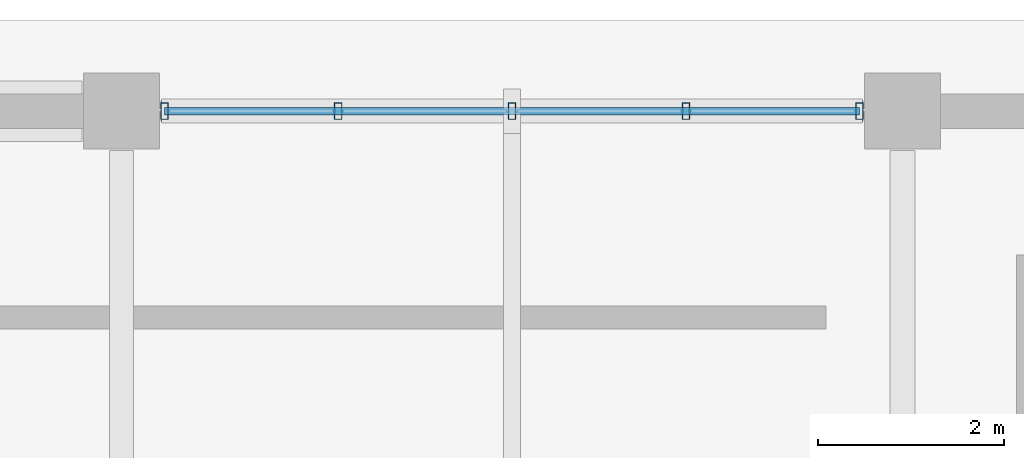
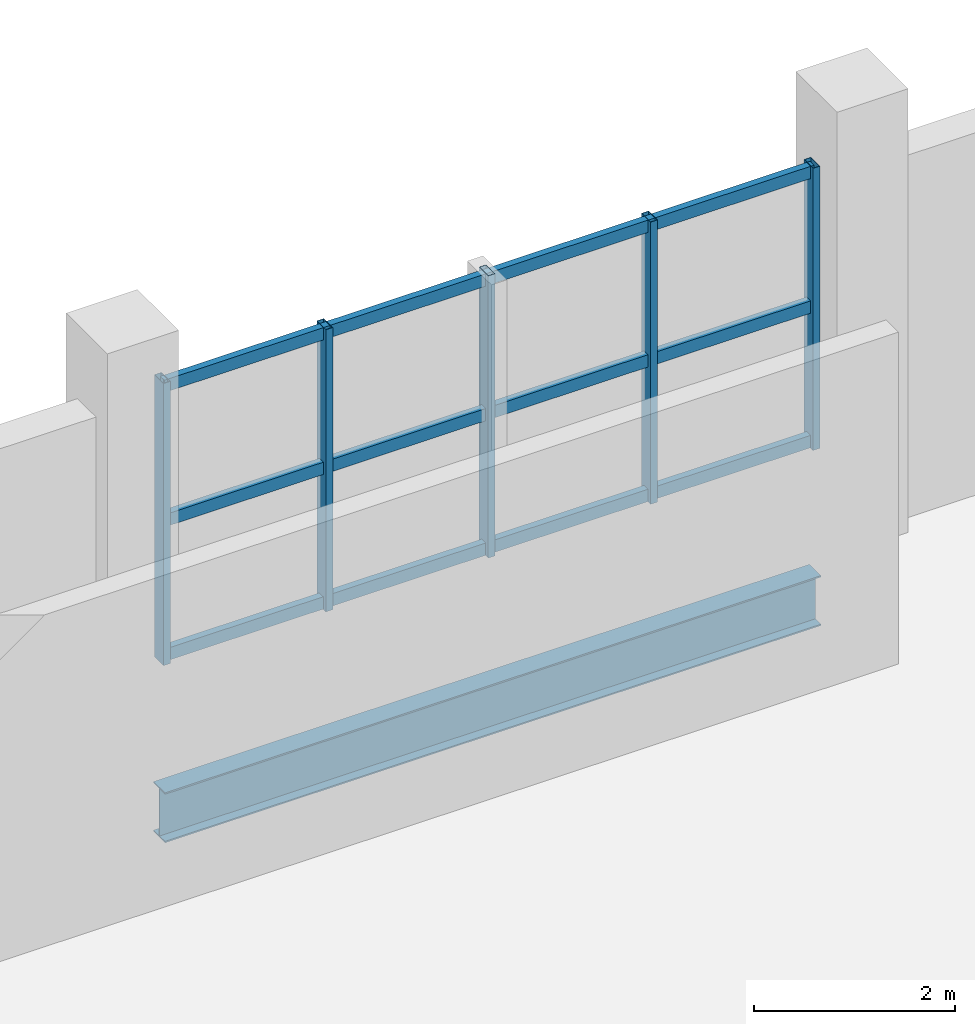
# One storey, part 69 of 107: 8 members, 1 beam, 1 element without a shape of its own.
"""IFC4 building model written with IfcOpenShell, lengths in metres."""

from ifc_helpers import new_model, si_unit, direction, frame, origin, origin_2d, place, context, subcontext, project, spatial, hollow_rectangle, i_section, extrude, material, material_profile, profile_set, type_object, element, aggregate, save


model = new_model("IFC4")

# Units and contexts
model_context = context("Model", 3, precision=1e-05, world=origin(), true_north=direction((0.0, 1.0)))
body_context = subcontext(model_context, "Body", "Model", "MODEL_VIEW")
ifc_project = project(units=[si_unit("LENGTHUNIT", "METRE"), si_unit("AREAUNIT", "SQUARE_METRE"), si_unit("VOLUMEUNIT", "CUBIC_METRE"), si_unit("PLANEANGLEUNIT", "RADIAN"), si_unit("MASSUNIT", "GRAM", prefix="KILO")], contexts=[model_context])

# Site, building, storey
site_placement = place(None, origin())
site = spatial("IfcSite", under=ifc_project, at=site_placement, CompositionType="ELEMENT")
building_placement = place(site_placement, origin())
building = spatial("IfcBuilding", under=site, at=building_placement, Name="Solvento Point Concert Hall", CompositionType="ELEMENT")
storey_placement = place(building_placement, origin())
storey = spatial("IfcBuildingStorey", under=building, at=storey_placement, Name="L00", CompositionType="ELEMENT", Elevation=0.0)

# Beam
ifc_material_1 = material(Name="Structural Steel ASTM A992 Grade 50", Category="steel")
ifc_material_profile_1 = material_profile(ifc_material_1, i_section(OverallWidth=0.228515625, OverallDepth=0.60791015625, WebThickness=0.01123046875, FlangeThickness=0.017333984375, at=origin_2d()), Name="W24X76")
ifc_profile_set_1 = profile_set([ifc_material_profile_1], Name="Structural Steel ASTM A992 Grade 50")
beam_type = type_object("IfcBeamType", Name="Beam_W24X76", PredefinedType="BEAM", material=ifc_profile_set_1)
beam_placement = place(storey_placement, frame((49.6240234375, 136.0, -0.718017578125), z_axis=(1.0, 0.0, 0.0), x_axis=(0.0, 1.0, 0.0)))
element("IfcBeam", 1, at=beam_placement, inside=storey, type_object=beam_type, Name="Primary girder B-42 L00", PredefinedType="BEAM", context=body_context, shape_type="SweptSolid", body=[
    extrude(i_section(OverallWidth=0.228515625, OverallDepth=0.60791015625, WebThickness=0.01123046875, FlangeThickness=0.017333984375, at=origin_2d()), origin(), (0.0, 0.0, 1.0), 7.552001953125),
])

# Curtain wall, members
ifc_material_2 = material(Name="Anodized Bronze Aluminium", Category="aluminium")
curtain_wall_type = type_object("IfcCurtainWallType", Name="CurtainWall_CourtPilotis", PredefinedType="USERDEFINED", material=ifc_material_2)
curtain_wall_placement = place(storey_placement, origin())
curtain_wall = element("IfcCurtainWall", 2, at=curtain_wall_placement, inside=storey, type_object=curtain_wall_type, Name="Unitised curtain wall CW-96 UCW-L00-030", ObjectType="UNITISED CURTAIN WALL", PredefinedType="USERDEFINED")
ifc_material_3 = material(Name="Anodized Bronze Aluminium", Category="aluminium")
ifc_material_profile_2 = material_profile(ifc_material_3, hollow_rectangle(XDim=0.080078125, YDim=0.179931640625, WallThickness=0.00390625, at=origin_2d()), Name="CW-MUL-80X180")
ifc_profile_set_2 = profile_set([ifc_material_profile_2], Name="Anodized Bronze Aluminium")
member_type_1 = type_object("IfcMemberType", Name="Mullion_80x180", PredefinedType="MULLION", material=ifc_profile_set_2)
member_1_placement = place(storey_placement, frame((49.659912109375, 136.0, 1.1201171875), z_axis=(0.0, 0.0, 1.0), x_axis=(1.0, 0.0, 0.0)))
member_1 = element("IfcMember", 3, at=member_1_placement, type_object=member_type_1, Name="Curtain wall mullion ML-01", PredefinedType="MULLION", context=body_context, shape_type="SweptSolid", body=[
    extrude(hollow_rectangle(XDim=0.080078125, YDim=0.179931640625, WallThickness=0.00390625, at=origin_2d()), origin(), (0.0, 0.0, 1.0), 3.434814453125),
])
member_2_placement = place(storey_placement, frame((51.530029296875, 136.0, 1.1201171875), z_axis=(0.0, 0.0, 1.0), x_axis=(1.0, 0.0, 0.0)))
member_2 = element("IfcMember", 4, at=member_2_placement, type_object=member_type_1, Name="Curtain wall mullion ML-01", PredefinedType="MULLION", context=body_context, shape_type="SweptSolid", body=[
    extrude(hollow_rectangle(XDim=0.080078125, YDim=0.179931640625, WallThickness=0.00390625, at=origin_2d()), origin(), (0.0, 0.0, 1.0), 3.434814453125),
])
member_3_placement = place(storey_placement, frame((53.39990234375, 136.0, 1.1201171875), z_axis=(0.0, 0.0, 1.0), x_axis=(1.0, 0.0, 0.0)))
member_3 = element("IfcMember", 5, at=member_3_placement, type_object=member_type_1, Name="Curtain wall mullion ML-01", PredefinedType="MULLION", context=body_context, shape_type="SweptSolid", body=[
    extrude(hollow_rectangle(XDim=0.080078125, YDim=0.179931640625, WallThickness=0.00390625, at=origin_2d()), origin(), (0.0, 0.0, 1.0), 3.434814453125),
])
member_4_placement = place(storey_placement, frame((55.27001953125, 136.0, 1.1201171875), z_axis=(0.0, 0.0, 1.0), x_axis=(1.0, 0.0, 0.0)))
member_4 = element("IfcMember", 6, at=member_4_placement, type_object=member_type_1, Name="Curtain wall mullion ML-01", PredefinedType="MULLION", context=body_context, shape_type="SweptSolid", body=[
    extrude(hollow_rectangle(XDim=0.080078125, YDim=0.179931640625, WallThickness=0.00390625, at=origin_2d()), origin(), (0.0, 0.0, 1.0), 3.434814453125),
])
member_5_placement = place(storey_placement, frame((57.139892578125, 136.0, 1.1201171875), z_axis=(0.0, 0.0, 1.0), x_axis=(1.0, 0.0, 0.0)))
member_5 = element("IfcMember", 7, at=member_5_placement, type_object=member_type_1, Name="Curtain wall mullion ML-01", PredefinedType="MULLION", context=body_context, shape_type="SweptSolid", body=[
    extrude(hollow_rectangle(XDim=0.080078125, YDim=0.179931640625, WallThickness=0.00390625, at=origin_2d()), origin(), (0.0, 0.0, 1.0), 3.434814453125),
])
ifc_material_4 = material(Name="Anodized Bronze Aluminium", Category="aluminium")
ifc_material_profile_3 = material_profile(ifc_material_4, hollow_rectangle(XDim=0.080078125, YDim=0.14990234375, WallThickness=0.00390625, at=origin_2d()), Name="CW-TRN-80X150")
ifc_profile_set_3 = profile_set([ifc_material_profile_3], Name="Anodized Bronze Aluminium")
member_type_2 = type_object("IfcMemberType", Name="Transom_80x150", PredefinedType="USERDEFINED", material=ifc_profile_set_3)
member_6_placement = place(storey_placement, frame((49.659912109375, 136.0, 1.199951171875), z_axis=(1.0, 0.0, 0.0), x_axis=(0.0, 1.0, 0.0)))
member_6 = element("IfcMember", 8, at=member_6_placement, type_object=member_type_2, Name="Curtain wall transom TR-01", ObjectType="TRANSOM", PredefinedType="USERDEFINED", context=body_context, shape_type="SweptSolid", body=[
    extrude(hollow_rectangle(XDim=0.080078125, YDim=0.14990234375, WallThickness=0.00390625, at=origin_2d()), origin(), (0.0, 0.0, 1.0), 7.47998046875),
])
member_7_placement = place(storey_placement, frame((49.659912109375, 136.0, 2.83740234375), z_axis=(1.0, 0.0, 0.0), x_axis=(0.0, 1.0, 0.0)))
member_7 = element("IfcMember", 9, at=member_7_placement, type_object=member_type_2, Name="Curtain wall transom TR-01", ObjectType="TRANSOM", PredefinedType="USERDEFINED", context=body_context, shape_type="SweptSolid", body=[
    extrude(hollow_rectangle(XDim=0.080078125, YDim=0.14990234375, WallThickness=0.00390625, at=origin_2d()), origin(), (0.0, 0.0, 1.0), 7.47998046875),
])
member_8_placement = place(storey_placement, frame((49.659912109375, 136.0, 4.47509765625), z_axis=(1.0, 0.0, 0.0), x_axis=(0.0, 1.0, 0.0)))
member_8 = element("IfcMember", 10, at=member_8_placement, type_object=member_type_2, Name="Curtain wall transom TR-01", ObjectType="TRANSOM", PredefinedType="USERDEFINED", context=body_context, shape_type="SweptSolid", body=[
    extrude(hollow_rectangle(XDim=0.080078125, YDim=0.14990234375, WallThickness=0.00390625, at=origin_2d()), origin(), (0.0, 0.0, 1.0), 7.47998046875),
])
aggregate(curtain_wall, [member_1, member_2, member_3, member_4, member_5, member_6, member_7, member_8])

save(model, "model.ifc")
